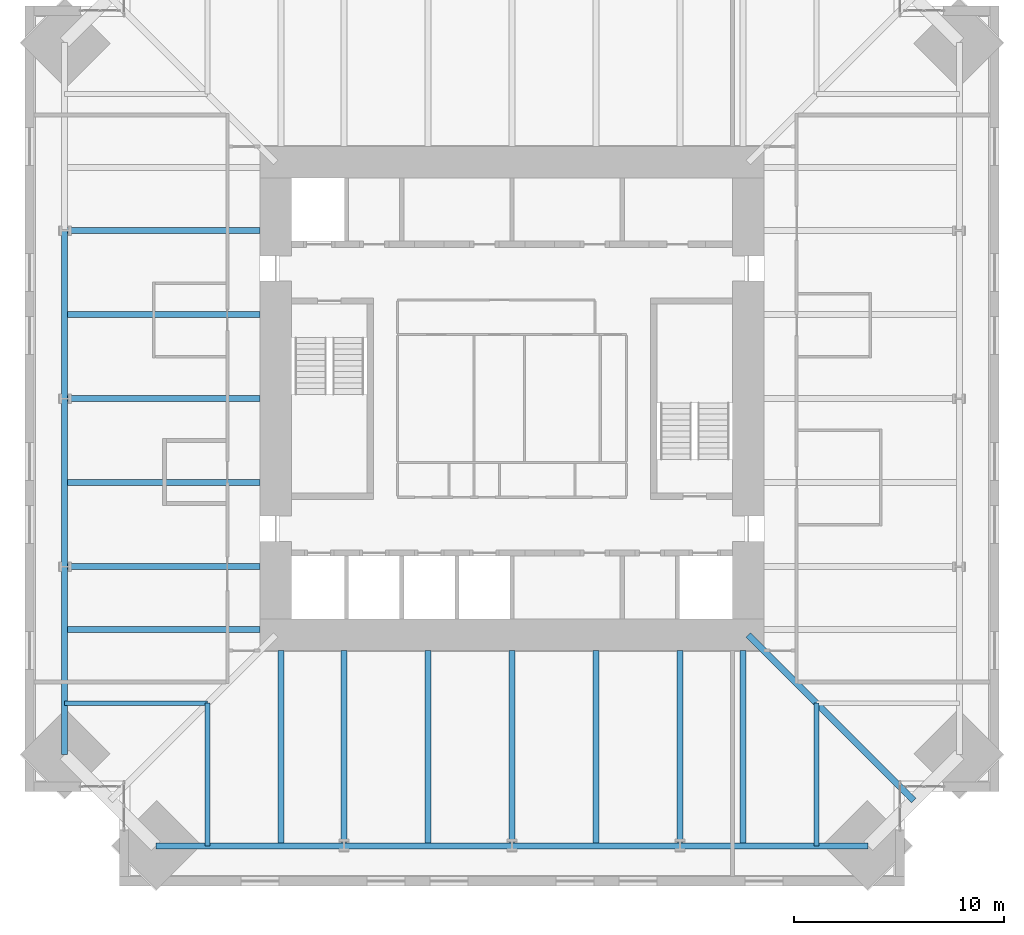
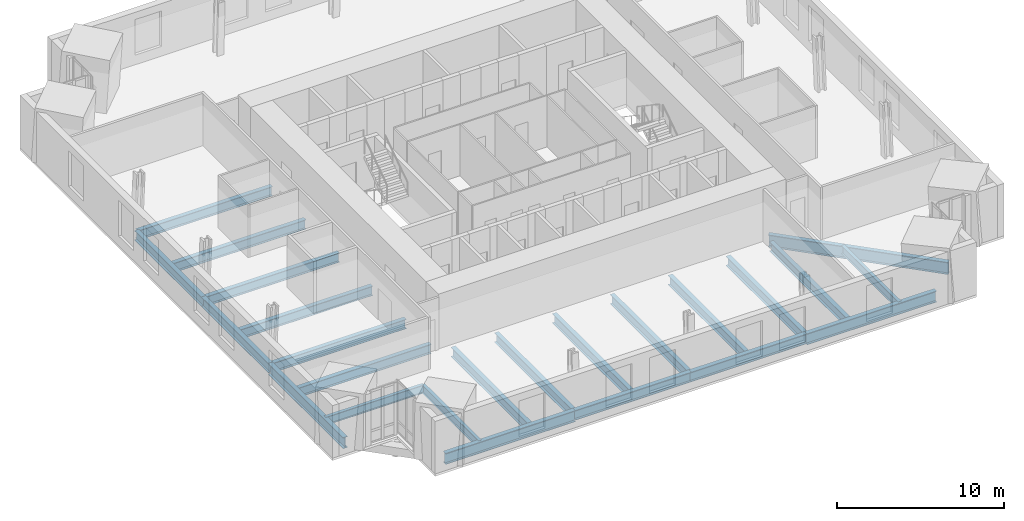
# One storey, part 3 of 15: 24 beams.
"""IFC4 building model written with IfcOpenShell, lengths in metres."""

import ifcopenshell
import ifcopenshell.guid

model = None  # the IFC model being written
_history = None  # IfcOwnerHistory: only IFC2X3 demands one
_inside = {}  # id of a spatial element -> (the spatial element, [elements in it])
_under = {}  # id of a project, library or spatial element -> (it, [spatial elements below it])
_declared = {}  # id of a project -> (the project, [libraries it declares])
_typed = {}  # id of a type object -> (the type object, [elements of that type])
_made_of = {}  # id of a material, layer set ... -> (it, [elements and type objects made of it])


def new_model(schema):
    """Start an empty IFC model of exactly this schema.

    Asked for "IFC4X3", IfcOpenShell would pick the latest addendum, in which some entities
    have other attributes; the version numbers below select the first issue.
    IFC2X3 requires an IfcOwnerHistory on every rooted entity: one is made here for all.
    """
    global model, _history
    if schema == "IFC4X3":
        model = ifcopenshell.file(schema_version=(4, 3, 0, 0))
    else:
        model = ifcopenshell.file(schema=schema)
    _inside.clear()
    _under.clear()
    _declared.clear()
    _typed.clear()
    _made_of.clear()
    _history = None
    if model.schema == "IFC2X3":
        org = make("IfcOrganization", Name="unknown")
        user = make(
            "IfcPersonAndOrganization",
            ThePerson=make("IfcPerson", FamilyName="unknown"),
            TheOrganization=org,
        )
        app = make(
            "IfcApplication",
            ApplicationDeveloper=org,
            Version="unknown",
            ApplicationFullName="unknown",
            ApplicationIdentifier="unknown",
        )
        _history = make(
            "IfcOwnerHistory",
            OwningUser=user,
            OwningApplication=app,
            ChangeAction="ADDED",
            CreationDate=0,
        )
    return model


def make(cls, **values):
    """One entity of the class cls with the attributes given. An attribute that is None is left unset."""
    return model.create_entity(
        cls, **{name: value for name, value in values.items() if value is not None}
    )


def rooted(cls, **values):
    """An entity with a GlobalId (a new one), such as an element, a storey or a relation."""
    return make(cls, GlobalId=ifcopenshell.guid.new(), OwnerHistory=_history, **values)


def si_unit(unit_type, name, prefix=None):
    """IfcSIUnit, for example si_unit("LENGTHUNIT", "METRE", prefix="MILLI")."""
    return make("IfcSIUnit", UnitType=unit_type, Prefix=prefix, Name=name)


def assignment(units):
    """IfcUnitAssignment: the units of a project."""
    return None if units is None else make("IfcUnitAssignment", Units=units)


def point(xyz):
    """IfcCartesianPoint."""
    return None if xyz is None else make("IfcCartesianPoint", Coordinates=xyz)


def direction(xyz):
    """IfcDirection."""
    return None if xyz is None else make("IfcDirection", DirectionRatios=xyz)


def frame(location, z_axis=None, x_axis=None):
    """IfcAxis2Placement3D, a coordinate frame: its origin and axes. An axis left out is left unset."""
    return make(
        "IfcAxis2Placement3D",
        Location=point(location),
        Axis=direction(z_axis),
        RefDirection=direction(x_axis),
    )


def frame_2d(location, x_axis=None):
    """IfcAxis2Placement2D, a coordinate frame in the plane: its origin and x axis."""
    return make(
        "IfcAxis2Placement2D", Location=point(location), RefDirection=direction(x_axis)
    )


def origin():
    """The frame at (0, 0, 0) with its axes left unset."""
    return frame((0.0, 0.0, 0.0))


def origin_2d():
    """The frame at (0, 0) in the plane with its x axis left unset."""
    return frame_2d((0.0, 0.0))


def place(relative_to, where):
    """IfcLocalPlacement: puts the frame where relative to a parent placement (None: the world)."""
    return make(
        "IfcLocalPlacement", PlacementRelTo=relative_to, RelativePlacement=where
    )


def context(
    kind, dimensions, precision=None, world=None, true_north=None, identifier=None
):
    """IfcGeometricRepresentationContext, for example the 3D "Model" context."""
    return make(
        "IfcGeometricRepresentationContext",
        ContextIdentifier=identifier,
        ContextType=kind,
        CoordinateSpaceDimension=dimensions,
        Precision=precision,
        WorldCoordinateSystem=world,
        TrueNorth=true_north,
    )


def subcontext(parent, identifier, kind, view, scale=None):
    """IfcGeometricRepresentationSubContext, for example "Body" below "Model"."""
    return make(
        "IfcGeometricRepresentationSubContext",
        ContextIdentifier=identifier,
        ContextType=kind,
        ParentContext=parent,
        TargetScale=scale,
        TargetView=view,
    )


def project(units=None, contexts=None):
    """IfcProject with its units and contexts."""
    return rooted(
        "IfcProject",
        Name="project",
        RepresentationContexts=contexts,
        UnitsInContext=assignment(units),
    )


def spatial(cls, under=None, at=None, **own):
    """A site, building, storey or space (cls), placed at a placement, below another one or the project."""
    s = rooted(cls, ObjectPlacement=at, **own)
    if under is not None:
        _under.setdefault(under.id(), (under, []))[1].append(s)
    return s


def profile(cls, at=None, kind="AREA", **sizes):
    """A parametric profile (cls). Its sizes go by their IFC names, for example OverallWidth=200.0."""
    return make(cls, ProfileType=kind, Position=at, **sizes)


def i_section(**sizes):
    """IfcIShapeProfileDef."""
    return profile("IfcIShapeProfileDef", **sizes)


def extrude(swept, where, along, depth):
    """IfcExtrudedAreaSolid: the profile swept, set in the frame where, extruded along a direction by depth."""
    return make(
        "IfcExtrudedAreaSolid",
        SweptArea=swept,
        Position=where,
        ExtrudedDirection=direction(along),
        Depth=depth,
    )


def shape(context_of_items, identifier, shape_type, items):
    """IfcShapeRepresentation: the items that make up one representation, for example the "Body"."""
    return make(
        "IfcShapeRepresentation",
        ContextOfItems=context_of_items,
        RepresentationIdentifier=identifier,
        RepresentationType=shape_type,
        Items=items,
    )


def material(Name=None, Category=None):
    """IfcMaterial."""
    return make("IfcMaterial", Name=Name, Category=Category)


def material_profile(
    of_material, cross_section, Name=None, Category=None, Priority=None
):
    """IfcMaterialProfile: a cross section and its material."""
    return make(
        "IfcMaterialProfile",
        Name=Name,
        Material=of_material,
        Profile=cross_section,
        Priority=Priority,
        Category=Category,
    )


def profile_set(profiles, Name=None, composite=None):
    """IfcMaterialProfileSet."""
    return make(
        "IfcMaterialProfileSet",
        Name=Name,
        MaterialProfiles=profiles,
        CompositeProfile=composite,
    )


def made_of(thing, what):
    """Note that an element or type object is made of a material, layer set ...; save() writes the relation."""
    if what is not None:
        _made_of.setdefault(what.id(), (what, []))[1].append(thing)
    return thing


def type_object(cls, material=None, **own):
    """A type object (cls), such as IfcWallType, which elements share."""
    return made_of(rooted(cls, **own), material)


def element(
    cls,
    number,
    at=None,
    inside=None,
    cuts=None,
    type_object=None,
    material=None,
    context=None,
    identifier="Body",
    shape_type=None,
    held_by="IfcProductDefinitionShape",
    body=None,
    shapes=None,
    **own,
):
    """One element of the class cls, such as IfcWall. Its Tag is "e" and its number.

    at: its placement. inside: the storey or other place that contains it. cuts: it is an
    opening in that element (IfcRelVoidsElement). A single representation is given by context,
    identifier, shape_type and body (its items); several are given by shapes. held_by: the class
    of the entity that holds the representations. save() writes the other relations.
    """
    e = rooted(cls, Tag="e%d" % number, ObjectPlacement=at, **own)
    if body is not None:
        shapes = [shape(context, identifier, shape_type, body)]
    if shapes is not None:
        e.Representation = make(held_by, Representations=shapes)
    if inside is not None:
        _inside.setdefault(inside.id(), (inside, []))[1].append(e)
    if cuts is not None:
        rooted(
            "IfcRelVoidsElement", RelatingBuildingElement=cuts, RelatedOpeningElement=e
        )
    if type_object is not None:
        _typed.setdefault(type_object.id(), (type_object, []))[1].append(e)
    return made_of(e, material)


def aggregate(whole, parts):
    """IfcRelAggregates: a whole, such as a stair, and the parts it consists of."""
    return rooted("IfcRelAggregates", RelatingObject=whole, RelatedObjects=parts)


def save(model, path):
    """Write the relations noted so far, then the file.

    IfcRelAggregates (storeys below a building ...), IfcRelContainedInSpatialStructure (elements
    in a storey), IfcRelDefinesByType, IfcRelAssociatesMaterial and IfcRelDeclares: one each for
    every whole, place, type object, material and project.
    """
    for whole, parts in _under.values():
        aggregate(whole, parts)
    for where, things in _inside.values():
        rooted(
            "IfcRelContainedInSpatialStructure",
            RelatedElements=things,
            RelatingStructure=where,
        )
    for kind, things in _typed.values():
        rooted("IfcRelDefinesByType", RelatedObjects=things, RelatingType=kind)
    for what, things in _made_of.values():
        rooted("IfcRelAssociatesMaterial", RelatedObjects=things, RelatingMaterial=what)
    for by, libraries in _declared.values():
        rooted("IfcRelDeclares", RelatingContext=by, RelatedDefinitions=libraries)
    model.write(path)


model = new_model("IFC4")

# Units and contexts
model_context = context("Model", 3, precision=1e-05, world=origin(), true_north=direction((0.0, 1.0)))
body_context = subcontext(model_context, "Body", "Model", "MODEL_VIEW")
ifc_project = project(units=[si_unit("LENGTHUNIT", "METRE"), si_unit("AREAUNIT", "SQUARE_METRE"), si_unit("VOLUMEUNIT", "CUBIC_METRE"), si_unit("PLANEANGLEUNIT", "RADIAN"), si_unit("MASSUNIT", "GRAM", prefix="KILO")], contexts=[model_context])

# Site, building, storey
site_placement = place(None, origin())
site = spatial("IfcSite", under=ifc_project, at=site_placement, CompositionType="ELEMENT")
building_placement = place(site_placement, origin())
building = spatial("IfcBuilding", under=site, at=building_placement, Name="Peilmerk Tower", CompositionType="ELEMENT")
storey_placement = place(building_placement, frame((0.0, 0.0, 237.800048828125)))
storey = spatial("IfcBuildingStorey", under=building, at=storey_placement, Name="L52", CompositionType="ELEMENT", Elevation=237.800048828125)

# Beams
ifc_material = material(Name="Steel S355", Category="steel")
ifc_material_profile_1 = material_profile(ifc_material, i_section(OverallWidth=0.219970703125, OverallDepth=0.60009765625, WebThickness=0.011962890625, FlangeThickness=0.01904296875, at=origin_2d()), Name="IPE 600")
ifc_profile_set_1 = profile_set([ifc_material_profile_1], Name="Steel S355")
beam_type_1 = type_object("IfcBeamType", Name="B10 IPE 600 floor beam", PredefinedType="BEAM", material=ifc_profile_set_1)
for number, where, z_axis, x_axis, name in (
    (1, (14.5, -14.5, -0.469970703125), (0.0, -1.0, 0.0), (1.0, 0.0, 0.0), "Floor beam L52"),
    (2, (-14.5, -14.5, -0.469970703125), (0.0, -1.0, 0.0), (1.0, 0.0, 0.0), "Floor beam L52"),
    (3, (-14.5, -14.5, -0.469970703125), (-1.0, 0.0, 0.0), (0.0, -1.0, 0.0), "Floor beam L52"),
):
    element("IfcBeam", number, at=place(storey_placement, frame(where, z_axis=z_axis, x_axis=x_axis)), inside=storey, type_object=beam_type_1, Name=name, PredefinedType="BEAM", context=body_context, shape_type="SweptSolid", body=[
        extrude(i_section(OverallWidth=0.219970703125, OverallDepth=0.60009765625, WebThickness=0.011962890625, FlangeThickness=0.01904296875, at=origin_2d()), origin(), (0.0, 0.0, 1.0), 6.80810546875),
    ])
ifc_material_profile_2 = material_profile(ifc_material, i_section(OverallWidth=0.302978515625, OverallDepth=0.81396484375, WebThickness=0.02099609375, FlangeThickness=0.0400390625, at=origin_2d()), Name="HEM 800")
ifc_profile_set_2 = profile_set([ifc_material_profile_2], Name="Steel S355")
beam_type_2 = type_object("IfcBeamType", Name="B15 HEM 800 edge beam", PredefinedType="SPANDREL", material=ifc_profile_set_2)
for number, where, z_axis, x_axis, name in (
    (4, (-16.9580078125, -21.30810546875, -0.5771484375), (1.0, 0.0, 0.0), (0.0, 1.0, 0.0), "Edge beam L52"),
    (5, (8.0, -21.30810546875, -0.5771484375), (1.0, 0.0, 0.0), (0.0, 1.0, 0.0), "Edge beam L52"),
    (6, (-21.30810546875, -8.0, -0.5771484375), (0.0, -1.0, 0.0), (1.0, 0.0, 0.0), "Edge beam L52"),
):
    element("IfcBeam", number, at=place(storey_placement, frame(where, z_axis=z_axis, x_axis=x_axis)), inside=storey, type_object=beam_type_2, Name=name, PredefinedType="SPANDREL", context=body_context, shape_type="SweptSolid", body=[
        extrude(i_section(OverallWidth=0.302978515625, OverallDepth=0.81396484375, WebThickness=0.02099609375, FlangeThickness=0.0400390625, at=origin_2d()), origin(), (0.0, 0.0, 1.0), 8.9580078125),
    ])
ifc_material_profile_3 = material_profile(ifc_material, i_section(OverallWidth=0.300048828125, OverallDepth=0.68994140625, WebThickness=0.014404296875, FlangeThickness=0.027099609375, at=origin_2d()), Name="HEA 700")
ifc_profile_set_3 = profile_set([ifc_material_profile_3], Name="Steel S355")
beam_type_3 = type_object("IfcBeamType", Name="B16 HEA 700 floor beam", PredefinedType="BEAM", material=ifc_profile_set_3)
for number, where, z_axis, x_axis, name in (
    (7, (-11.0, -12.0, -0.51513671875), (0.0, -1.0, 0.0), (1.0, 0.0, 0.0), "Floor beam L52"),
    (8, (-8.0, -12.0, -0.51513671875), (0.0, -1.0, 0.0), (1.0, 0.0, 0.0), "Floor beam L52"),
    (9, (-4.0, -12.0, -0.51513671875), (0.0, -1.0, 0.0), (1.0, 0.0, 0.0), "Floor beam L52"),
    (10, (0.0, -12.0, -0.51513671875), (0.0, -1.0, 0.0), (1.0, 0.0, 0.0), "Floor beam L52"),
    (11, (4.0, -12.0, -0.51513671875), (0.0, -1.0, 0.0), (1.0, 0.0, 0.0), "Floor beam L52"),
    (12, (8.0, -12.0, -0.51513671875), (0.0, -1.0, 0.0), (1.0, 0.0, 0.0), "Floor beam L52"),
    (13, (11.0, -12.0, -0.51513671875), (0.0, -1.0, 0.0), (1.0, 0.0, 0.0), "Floor beam L52"),
    (14, (-12.0, 8.0, -0.51513671875), (-1.0, 0.0, 0.0), (0.0, -1.0, 0.0), "Floor beam L52"),
    (15, (-12.0, 4.0, -0.51513671875), (-1.0, 0.0, 0.0), (0.0, -1.0, 0.0), "Floor beam L52"),
    (16, (-12.0, 0.0, -0.51513671875), (-1.0, 0.0, 0.0), (0.0, -1.0, 0.0), "Floor beam L52"),
    (17, (-12.0, -4.0, -0.51513671875), (-1.0, 0.0, 0.0), (0.0, -1.0, 0.0), "Floor beam L52"),
    (18, (-12.0, -8.0, -0.51513671875), (-1.0, 0.0, 0.0), (0.0, -1.0, 0.0), "Floor beam L52"),
    (19, (-12.0, -11.0, -0.51513671875), (-1.0, 0.0, 0.0), (0.0, -1.0, 0.0), "Floor beam L52"),
):
    element("IfcBeam", number, at=place(storey_placement, frame(where, z_axis=z_axis, x_axis=x_axis)), inside=storey, type_object=beam_type_3, Name=name, PredefinedType="BEAM", context=body_context, shape_type="SweptSolid", body=[
        extrude(i_section(OverallWidth=0.300048828125, OverallDepth=0.68994140625, WebThickness=0.014404296875, FlangeThickness=0.027099609375, at=origin_2d()), origin(), (0.0, 0.0, 1.0), 9.30810546875),
    ])
ifc_material_profile_4 = material_profile(ifc_material, i_section(OverallWidth=0.303955078125, OverallDepth=0.716064453125, WebThickness=0.02099609375, FlangeThickness=0.0400390625, at=origin_2d()), Name="HEM 700")
ifc_profile_set_4 = profile_set([ifc_material_profile_4], Name="Steel S355")
beam_type_4 = type_object("IfcBeamType", Name="B30 HEM 700 edge beam", PredefinedType="SPANDREL", material=ifc_profile_set_4)
for number, where, z_axis, x_axis, name in (
    (20, (-8.0, -21.30810546875, -0.528076171875), (1.0, 0.0, 0.0), (0.0, 1.0, 0.0), "Edge beam L52"),
    (21, (0.0, -21.30810546875, -0.528076171875), (1.0, 0.0, 0.0), (0.0, 1.0, 0.0), "Edge beam L52"),
    (22, (-21.30810546875, 8.0, -0.528076171875), (0.0, -1.0, 0.0), (1.0, 0.0, 0.0), "Edge beam L52"),
    (23, (-21.30810546875, 0.0, -0.528076171875), (0.0, -1.0, 0.0), (1.0, 0.0, 0.0), "Edge beam L52"),
):
    element("IfcBeam", number, at=place(storey_placement, frame(where, z_axis=z_axis, x_axis=x_axis)), inside=storey, type_object=beam_type_4, Name=name, PredefinedType="SPANDREL", context=body_context, shape_type="SweptSolid", body=[
        extrude(i_section(OverallWidth=0.303955078125, OverallDepth=0.716064453125, WebThickness=0.02099609375, FlangeThickness=0.0400390625, at=origin_2d()), origin(), (0.0, 0.0, 1.0), 8.0),
    ])
ifc_material_profile_5 = material_profile(ifc_material, i_section(OverallWidth=0.300048828125, OverallDepth=0.889892578125, WebThickness=0.01611328125, FlangeThickness=0.030029296875, at=origin_2d()), Name="HEA 900")
ifc_profile_set_5 = profile_set([ifc_material_profile_5], Name="Steel S355")
beam_type_5 = type_object("IfcBeamType", Name="B4 HEA 900 floor beam", PredefinedType="BEAM", material=ifc_profile_set_5)
beam_placement = place(storey_placement, frame((11.25, -11.25, -0.614990234375), z_axis=(0.707106781187, -0.707106781187, 0.0), x_axis=(0.707106781187, 0.707106781187, 0.0)))
element("IfcBeam", 24, at=beam_placement, inside=storey, type_object=beam_type_5, Name="Corner girder L52", PredefinedType="BEAM", context=body_context, shape_type="SweptSolid", body=[
    extrude(i_section(OverallWidth=0.300048828125, OverallDepth=0.889892578125, WebThickness=0.01611328125, FlangeThickness=0.030029296875, at=origin_2d()), origin(), (0.0, 0.0, 1.0), 11.1484375),
])

save(model, "model.ifc")
